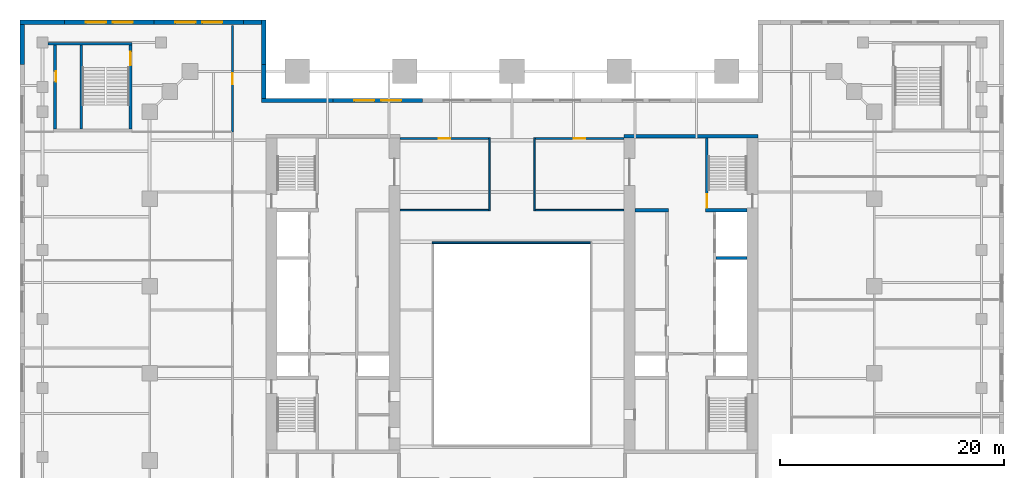
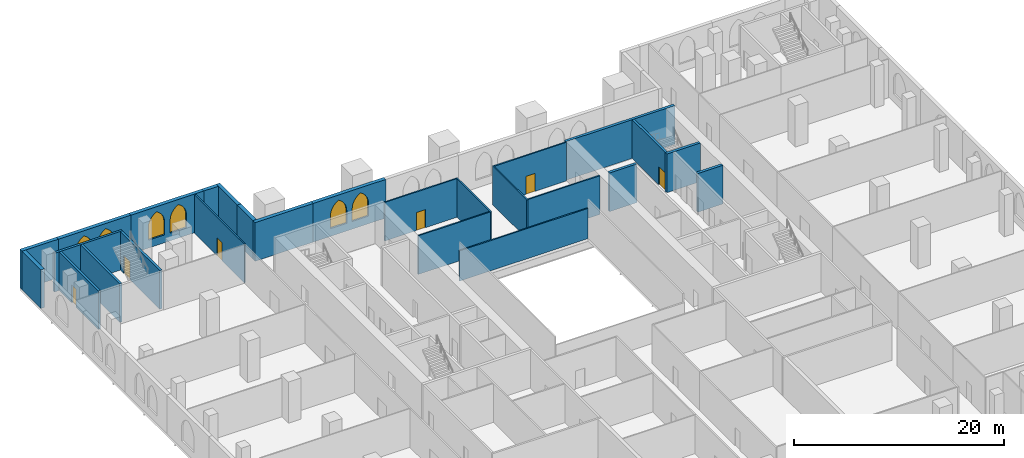
# One storey, part 15 of 19: 26 walls, 6 doors, 6 windows, 12 openings.
"""IFC4 building model written with IfcOpenShell, lengths in metres."""

from ifc_helpers import new_model, si_unit, direction, frame, frame_2d, origin, place, context, subcontext, project, spatial, polyline, rectangle, outline, extrude, material, layer, layer_set, type_object, element, fill, save


model = new_model("IFC4")

# Units and contexts
model_context = context("Model", 3, precision=1e-05, world=origin(), true_north=direction((0.0, 1.0)))
body_context = subcontext(model_context, "Body", "Model", "MODEL_VIEW")
ifc_project = project(units=[si_unit("LENGTHUNIT", "METRE"), si_unit("AREAUNIT", "SQUARE_METRE"), si_unit("VOLUMEUNIT", "CUBIC_METRE"), si_unit("PLANEANGLEUNIT", "RADIAN"), si_unit("MASSUNIT", "GRAM", prefix="KILO")], contexts=[model_context])

# Site, building, storey
site_placement = place(None, origin())
site = spatial("IfcSite", under=ifc_project, at=site_placement, CompositionType="ELEMENT")
building_placement = place(site_placement, origin())
building = spatial("IfcBuilding", under=site, at=building_placement, Name="Ogive Exchange Tower", CompositionType="ELEMENT")
storey_placement = place(building_placement, frame((0.0, 0.0, 24.0)))
storey = spatial("IfcBuildingStorey", under=building, at=storey_placement, Name="L04", CompositionType="ELEMENT", Elevation=24.0)

# Walls
ifc_material_1 = material(Name="Gypsum board partition")
ifc_layer_1 = layer(ifc_material_1, 0.300048828125)
ifc_layer_set_1 = layer_set([ifc_layer_1], Name="Core room partition 300 gypsum")
wall_type_1 = type_object("IfcWallType", Name="Core room partition 300 gypsum", PredefinedType="PARTITIONING", material=ifc_layer_set_1)
wall_1_placement = place(storey_placement, frame((11.0, 19.0, 0.0), z_axis=(0.0, 0.0, 1.0), x_axis=(1.0, 0.0, 0.0)))
element("IfcWall", 1, at=wall_1_placement, inside=storey, type_object=wall_type_1, Name="E row B room end wall 7", PredefinedType="PARTITIONING", context=body_context, shape_type="SweptSolid", body=[
    extrude(rectangle(XDim=3.0, YDim=0.300048828125, at=frame_2d((1.5, 0.0))), origin(), (0.0, 0.0, 1.0), 4.5),
])
ifc_material_2 = material(Name="Fire partition EI 60 150")
ifc_layer_2 = layer(ifc_material_2, 0.14990234375)
ifc_layer_set_2 = layer_set([ifc_layer_2], Name="Fire partition EI 60 150")
wall_type_2 = type_object("IfcWallType", Name="Fire partition EI 60 150", PredefinedType="PARTITIONING", material=ifc_layer_set_2)
for number, where, z_axis, x_axis, name in (
    (2, (-10.0, 19.0, 0.0), (0.0, 0.0, 1.0), (1.0, 0.0, 0.0), "L04-PWL-030"),
    (3, (2.074951171875, 19.0, 0.0), (0.0, 0.0, 1.0), (1.0, 0.0, 0.0), "L04-PWL-031"),
):
    element("IfcWall", number, at=place(storey_placement, frame(where, z_axis=z_axis, x_axis=x_axis)), inside=storey, type_object=wall_type_2, Name=name, PredefinedType="PARTITIONING", context=body_context, shape_type="SweptSolid", body=[
        extrude(rectangle(XDim=7.925048828125, YDim=0.14990234375, at=frame_2d((3.96240234375, 0.0))), origin(), (0.0, 0.0, 1.0), 4.5),
    ])

# Wall, opening, door
wall_2_placement = place(storey_placement, frame((-10.0, 25.39990234375, 0.0), z_axis=(0.0, 0.0, 1.0), x_axis=(1.0, 0.0, 0.0)))
wall_2 = element("IfcWall", 4, at=wall_2_placement, inside=storey, type_object=wall_type_2, Name="L04-PWL-034", PredefinedType="PARTITIONING", context=body_context, shape_type="SweptSolid", body=[
    extrude(rectangle(XDim=7.925048828125, YDim=0.14990234375, at=frame_2d((3.96240234375, 0.0))), origin(), (0.0, 0.0, 1.0), 4.5),
])
opening_1_placement = place(wall_2_placement, frame((3.46240234375, 0.0, 0.0)))
opening_1 = element("IfcOpeningElement", 5, at=opening_1_placement, cuts=wall_2, Name="Opening L04-I25", PredefinedType="OPENING", context=body_context, shape_type="SweptSolid", body=[
    extrude(rectangle(XDim=1.0, YDim=2.10009765625, at=frame_2d((0.5, 1.050048828125))), frame((0.0, 0.0849609375, 0.0), z_axis=(0.0, -1.0, 0.0), x_axis=(1.0, 0.0, 0.0)), (0.0, 0.0, 1.0), 0.169921875),
])
ifc_material_3 = material(Name="Fire door FD 30S 1000 x 2100")
door_type_1 = type_object("IfcDoorType", Name="Fire door FD 30S 1000 x 2100", OperationType="NOTDEFINED", PredefinedType="DOOR", material=ifc_material_3)
door_1_placement = place(opening_1_placement, frame((1.0, 0.0, 0.0), z_axis=(0.0, 0.0, 1.0), x_axis=(-1.0, 0.0, 0.0)))
door_1 = element("IfcDoor", 6, at=door_1_placement, inside=storey, type_object=door_type_1, Name="L04-IDR-025", ObjectType="DT3", OperationType="SINGLE_SWING_LEFT", OverallHeight=2.10009765625, OverallWidth=1.0, PredefinedType="DOOR", context=body_context, shape_type="SweptSolid", body=[
    extrude(rectangle(XDim=1.0, YDim=2.10009765625, at=frame_2d((0.5, 1.050048828125))), frame((0.0, 0.02490234375, 0.0), z_axis=(0.0, -1.0, 0.0), x_axis=(1.0, 0.0, 0.0)), (0.0, 0.0, 1.0), 0.050048828125),
])
fill(opening_1, door_1)

wall_3_placement = place(storey_placement, frame((2.074951171875, 25.39990234375, 0.0), z_axis=(0.0, 0.0, 1.0), x_axis=(1.0, 0.0, 0.0)))
wall_3 = element("IfcWall", 7, at=wall_3_placement, inside=storey, type_object=wall_type_2, Name="L04-PWL-035", PredefinedType="PARTITIONING", context=body_context, shape_type="SweptSolid", body=[
    extrude(rectangle(XDim=7.925048828125, YDim=0.14990234375, at=frame_2d((3.96240234375, 0.0))), origin(), (0.0, 0.0, 1.0), 4.5),
])
opening_2_placement = place(wall_3_placement, frame((3.46240234375, 0.0, 0.0)))
opening_2 = element("IfcOpeningElement", 8, at=opening_2_placement, cuts=wall_3, Name="Opening L04-I26", PredefinedType="OPENING", context=body_context, shape_type="SweptSolid", body=[
    extrude(rectangle(XDim=1.0, YDim=2.10009765625, at=frame_2d((0.5, 1.050048828125))), frame((0.0, 0.0849609375, 0.0), z_axis=(0.0, -1.0, 0.0), x_axis=(1.0, 0.0, 0.0)), (0.0, 0.0, 1.0), 0.169921875),
])
door_2_placement = place(opening_2_placement, frame((1.0, 0.0, 0.0), z_axis=(0.0, 0.0, 1.0), x_axis=(-1.0, 0.0, 0.0)))
door_2 = element("IfcDoor", 9, at=door_2_placement, inside=storey, type_object=door_type_1, Name="L04-IDR-026", ObjectType="DT3", OperationType="SINGLE_SWING_LEFT", OverallHeight=2.10009765625, OverallWidth=1.0, PredefinedType="DOOR", context=body_context, shape_type="SweptSolid", body=[
    extrude(rectangle(XDim=1.0, YDim=2.10009765625, at=frame_2d((0.5, 1.050048828125))), frame((0.0, 0.02490234375, 0.0), z_axis=(0.0, -1.0, 0.0), x_axis=(1.0, 0.0, 0.0)), (0.0, 0.0, 1.0), 0.050048828125),
])
fill(opening_2, door_2)

wall_4_placement = place(storey_placement, frame((-25.0, 26.0, 0.0), z_axis=(0.0, 0.0, 1.0), x_axis=(0.0, 1.0, 0.0)))
wall_4 = element("IfcWall", 10, at=wall_4_placement, inside=storey, type_object=wall_type_2, Name="L04-PWL-049", PredefinedType="PARTITIONING", context=body_context, shape_type="SweptSolid", body=[
    extrude(rectangle(XDim=9.5, YDim=0.14990234375, at=frame_2d((4.75, 0.0))), origin(), (0.0, 0.0, 1.0), 4.5),
])
opening_3_placement = place(wall_4_placement, frame((4.25, 0.0, 0.0)))
opening_3 = element("IfcOpeningElement", 11, at=opening_3_placement, cuts=wall_4, Name="Opening L04-I01", PredefinedType="OPENING", context=body_context, shape_type="SweptSolid", body=[
    extrude(rectangle(XDim=1.0, YDim=2.10009765625, at=frame_2d((0.5, 1.050048828125))), frame((0.0, 0.0849609375, 0.0), z_axis=(0.0, -1.0, 0.0), x_axis=(1.0, 0.0, 0.0)), (0.0, 0.0, 1.0), 0.169921875),
])
door_3_placement = place(opening_3_placement, origin())
door_3 = element("IfcDoor", 12, at=door_3_placement, inside=storey, type_object=door_type_1, Name="L04-IDR-001", ObjectType="DT3", OperationType="SINGLE_SWING_LEFT", OverallHeight=2.10009765625, OverallWidth=1.0, PredefinedType="DOOR", context=body_context, shape_type="SweptSolid", body=[
    extrude(rectangle(XDim=1.0, YDim=2.10009765625, at=frame_2d((0.5, 1.050048828125))), frame((0.0, 0.02490234375, 0.0), z_axis=(0.0, -1.0, 0.0), x_axis=(1.0, 0.0, 0.0)), (0.0, 0.0, 1.0), 0.050048828125),
])
fill(opening_3, door_3)

# Walls
for number, where, z_axis, x_axis, name in (
    (13, (-2.0, 18.925048828125, 0.0), (0.0, 0.0, 1.0), (0.0, 1.0, 0.0), "L04-PWL-054"),
    (14, (2.0, 18.925048828125, 0.0), (0.0, 0.0, 1.0), (0.0, 1.0, 0.0), "L04-PWL-057"),
):
    element("IfcWall", number, at=place(storey_placement, frame(where, z_axis=z_axis, x_axis=x_axis)), inside=storey, type_object=wall_type_2, Name=name, PredefinedType="PARTITIONING", context=body_context, shape_type="SweptSolid", body=[
        extrude(rectangle(XDim=6.550048828125, YDim=0.14990234375, at=frame_2d((3.27490234375, 0.0))), origin(), (0.0, 0.0, 1.0), 4.5),
    ])
ifc_material_4 = material(Name="Fire-resisting glass in steel frame", Category="steel")
ifc_layer_3 = layer(ifc_material_4, 0.14990234375)
ifc_layer_set_3 = layer_set([ifc_layer_3], Name="Fire-rated glazed wall 150")
wall_type_3 = type_object("IfcWallType", Name="Fire-rated glazed wall 150", PredefinedType="STANDARD", material=ifc_layer_set_3)
wall_5_placement = place(storey_placement, frame((-7.14990234375, 16.074951171875, 0.0), z_axis=(0.0, 0.0, 1.0), x_axis=(1.0, 0.0, 0.0)))
element("IfcWall", 15, at=wall_5_placement, inside=storey, type_object=wall_type_3, Name="Nave enclosure wall 2", PredefinedType="STANDARD", context=body_context, shape_type="SweptSolid", body=[
    extrude(rectangle(XDim=14.14990234375, YDim=0.14990234375, at=frame_2d((7.074951171875, 0.0))), origin(), (0.0, 0.0, 1.0), 3.52001953125),
])

# Wall, openings, windows
ifc_material_5 = material(Name="Precast concrete C40/50", Category="concrete")
ifc_layer_4 = layer(ifc_material_5, 0.39990234375)
ifc_layer_set_4 = layer_set([ifc_layer_4], Name="Limestone-faced wall 400")
wall_type_4 = type_object("IfcWallType", Name="Limestone-faced wall 400", PredefinedType="STANDARD", material=ifc_layer_set_4)
wall_6_placement = place(storey_placement, frame((-8.0, 28.800048828125, 0.0), z_axis=(0.0, 0.0, 1.0), x_axis=(-1.0, 0.0, 0.0)))
wall_6 = element("IfcWall", 16, at=wall_6_placement, inside=storey, type_object=wall_type_4, Name="Podium wall B5", PredefinedType="STANDARD", context=body_context, shape_type="SweptSolid", body=[
    extrude(rectangle(XDim=8.0, YDim=0.39990234375, at=frame_2d((4.0, 0.0))), origin(), (0.0, 0.0, 1.0), 4.5),
])
opening_4_placement = place(wall_6_placement, frame((1.89990234375, 0.0, 0.89990234375)))
opening_4 = element("IfcOpeningElement", 17, at=opening_4_placement, cuts=wall_6, Name="Opening WQ300", PredefinedType="OPENING", context=body_context, shape_type="SweptSolid", body=[
    extrude(outline(polyline([(0.0, 0.0), (1.800048828125, 0.0), (1.800048828125, 1.5), (1.78466796875, 1.72900390625), (1.73828125, 1.953857421875), (1.662353515625, 2.17041015625), (1.557861328125, 2.374755859375), (1.4267578125, 2.56298828125), (1.271484375, 2.73193359375), (1.0947265625, 2.878662109375), (0.89990234375, 3.0), (0.705322265625, 2.878662109375), (0.528564453125, 2.73193359375), (0.373291015625, 2.56298828125), (0.2421875, 2.374755859375), (0.1376953125, 2.17041015625), (0.061767578125, 1.953857421875), (0.015380859375, 1.72900390625), (0.0, 1.5), (0.0, 0.0)])), frame((0.0, 0.2099609375, 0.0), z_axis=(0.0, -1.0, 0.0), x_axis=(1.0, 0.0, 0.0)), (0.0, 0.0, 1.0), 0.419921875),
])
opening_5_placement = place(wall_6_placement, frame((4.300048828125, 0.0, 0.89990234375)))
opening_5 = element("IfcOpeningElement", 18, at=opening_5_placement, cuts=wall_6, Name="Opening WQ300", PredefinedType="OPENING", context=body_context, shape_type="SweptSolid", body=[
    extrude(outline(polyline([(0.0, 0.0), (1.800048828125, 0.0), (1.800048828125, 1.5), (1.78466796875, 1.72900390625), (1.73828125, 1.953857421875), (1.662353515625, 2.17041015625), (1.557861328125, 2.374755859375), (1.4267578125, 2.56298828125), (1.271484375, 2.73193359375), (1.0947265625, 2.878662109375), (0.89990234375, 3.0), (0.705322265625, 2.878662109375), (0.528564453125, 2.73193359375), (0.373291015625, 2.56298828125), (0.2421875, 2.374755859375), (0.1376953125, 2.17041015625), (0.061767578125, 1.953857421875), (0.015380859375, 1.72900390625), (0.0, 1.5), (0.0, 0.0)])), frame((0.0, 0.2099609375, 0.0), z_axis=(0.0, -1.0, 0.0), x_axis=(1.0, 0.0, 0.0)), (0.0, 0.0, 1.0), 0.419921875),
])
ifc_material_6 = material(Name="Clear glass in bronze frame", Category="glass")
window_type = type_object("IfcWindowType", Name="Podium paired lancet 1800 x 3000", PartitioningType="DOUBLE_PANEL_VERTICAL", PredefinedType="WINDOW", material=ifc_material_6)
window_1_placement = place(opening_4_placement, origin())
window_1 = element("IfcWindow", 19, at=window_1_placement, inside=storey, type_object=window_type, Name="Podium paired lancet B5.1", OverallHeight=3.0, OverallWidth=1.800048828125, PartitioningType="DOUBLE_PANEL_VERTICAL", PredefinedType="WINDOW", context=body_context, shape_type="SweptSolid", body=[
    extrude(outline(polyline([(0.0, 0.0), (1.800048828125, 0.0), (1.800048828125, 1.5), (1.78466796875, 1.72900390625), (1.73828125, 1.953857421875), (1.662353515625, 2.17041015625), (1.557861328125, 2.374755859375), (1.4267578125, 2.56298828125), (1.271484375, 2.73193359375), (1.0947265625, 2.878662109375), (0.89990234375, 3.0), (0.705322265625, 2.878662109375), (0.528564453125, 2.73193359375), (0.373291015625, 2.56298828125), (0.2421875, 2.374755859375), (0.1376953125, 2.17041015625), (0.061767578125, 1.953857421875), (0.015380859375, 1.72900390625), (0.0, 1.5), (0.0, 0.0)])), frame((0.0, 0.030029296875, 0.0), z_axis=(0.0, -1.0, 0.0), x_axis=(1.0, 0.0, 0.0)), (0.0, 0.0, 1.0), 0.06005859375),
])
fill(opening_4, window_1)
window_2_placement = place(opening_5_placement, origin())
window_2 = element("IfcWindow", 20, at=window_2_placement, inside=storey, type_object=window_type, Name="Podium paired lancet B5.2", OverallHeight=3.0, OverallWidth=1.800048828125, PartitioningType="DOUBLE_PANEL_VERTICAL", PredefinedType="WINDOW", context=body_context, shape_type="SweptSolid", body=[
    extrude(outline(polyline([(0.0, 0.0), (1.800048828125, 0.0), (1.800048828125, 1.5), (1.78466796875, 1.72900390625), (1.73828125, 1.953857421875), (1.662353515625, 2.17041015625), (1.557861328125, 2.374755859375), (1.4267578125, 2.56298828125), (1.271484375, 2.73193359375), (1.0947265625, 2.878662109375), (0.89990234375, 3.0), (0.705322265625, 2.878662109375), (0.528564453125, 2.73193359375), (0.373291015625, 2.56298828125), (0.2421875, 2.374755859375), (0.1376953125, 2.17041015625), (0.061767578125, 1.953857421875), (0.015380859375, 1.72900390625), (0.0, 1.5), (0.0, 0.0)])), frame((0.0, 0.030029296875, 0.0), z_axis=(0.0, -1.0, 0.0), x_axis=(1.0, 0.0, 0.0)), (0.0, 0.0, 1.0), 0.06005859375),
])
fill(opening_5, window_2)

# Walls
wall_7_placement = place(storey_placement, frame((-16.0, 28.800048828125, 0.0), z_axis=(0.0, 0.0, 1.0), x_axis=(-1.0, 0.0, 0.0)))
element("IfcWall", 21, at=wall_7_placement, inside=storey, type_object=wall_type_4, Name="Podium wall B6", PredefinedType="STANDARD", context=body_context, shape_type="SweptSolid", body=[
    extrude(rectangle(XDim=6.39990234375, YDim=0.39990234375, at=frame_2d((3.199951171875, 0.0))), origin(), (0.0, 0.0, 1.0), 4.5),
])
wall_8_placement = place(storey_placement, frame((-22.199951171875, 29.0, 0.0), z_axis=(0.0, 0.0, 1.0), x_axis=(0.0, 1.0, 0.0)))
element("IfcWall", 22, at=wall_8_placement, inside=storey, type_object=wall_type_4, Name="Podium wall J1", PredefinedType="STANDARD", context=body_context, shape_type="SweptSolid", body=[
    extrude(rectangle(XDim=3.0, YDim=0.39990234375, at=frame_2d((1.5, 0.0))), origin(), (0.0, 0.0, 1.0), 4.5),
])
wall_9_placement = place(storey_placement, frame((-22.199951171875, 32.0, 0.0), z_axis=(0.0, 0.0, 1.0), x_axis=(0.0, 1.0, 0.0)))
element("IfcWall", 23, at=wall_9_placement, inside=storey, type_object=wall_type_4, Name="Podium wall J2", PredefinedType="STANDARD", context=body_context, shape_type="SweptSolid", body=[
    extrude(rectangle(XDim=4.0, YDim=0.39990234375, at=frame_2d((2.0, 0.0))), origin(), (0.0, 0.0, 1.0), 4.5),
])
wall_10_placement = place(storey_placement, frame((-22.39990234375, 35.800048828125, 0.0), z_axis=(0.0, 0.0, 1.0), x_axis=(-1.0, 0.0, 0.0)))
element("IfcWall", 24, at=wall_10_placement, inside=storey, type_object=wall_type_4, Name="Podium wall M1", PredefinedType="STANDARD", context=body_context, shape_type="SweptSolid", body=[
    extrude(rectangle(XDim=1.60009765625, YDim=0.39990234375, at=frame_2d((0.800048828125, 0.0))), origin(), (0.0, 0.0, 1.0), 4.5),
])

# Wall, openings, windows
wall_11_placement = place(storey_placement, frame((-24.0, 35.800048828125, 0.0), z_axis=(0.0, 0.0, 1.0), x_axis=(-1.0, 0.0, 0.0)))
wall_11 = element("IfcWall", 25, at=wall_11_placement, inside=storey, type_object=wall_type_4, Name="Podium wall M2", PredefinedType="STANDARD", context=body_context, shape_type="SweptSolid", body=[
    extrude(rectangle(XDim=8.0, YDim=0.39990234375, at=frame_2d((4.0, 0.0))), origin(), (0.0, 0.0, 1.0), 4.5),
])
opening_6_placement = place(wall_11_placement, frame((1.89990234375, 0.0, 0.89990234375)))
opening_6 = element("IfcOpeningElement", 26, at=opening_6_placement, cuts=wall_11, Name="Opening WQ300", PredefinedType="OPENING", context=body_context, shape_type="SweptSolid", body=[
    extrude(outline(polyline([(0.0, 0.0), (1.800048828125, 0.0), (1.800048828125, 1.5), (1.78466796875, 1.72900390625), (1.73828125, 1.953857421875), (1.662353515625, 2.17041015625), (1.557861328125, 2.374755859375), (1.4267578125, 2.56298828125), (1.271484375, 2.73193359375), (1.0947265625, 2.878662109375), (0.89990234375, 3.0), (0.705322265625, 2.878662109375), (0.528564453125, 2.73193359375), (0.373291015625, 2.56298828125), (0.2421875, 2.374755859375), (0.1376953125, 2.17041015625), (0.061767578125, 1.953857421875), (0.015380859375, 1.72900390625), (0.0, 1.5), (0.0, 0.0)])), frame((0.0, 0.2099609375, 0.0), z_axis=(0.0, -1.0, 0.0), x_axis=(1.0, 0.0, 0.0)), (0.0, 0.0, 1.0), 0.419921875),
])
opening_7_placement = place(wall_11_placement, frame((4.300048828125, 0.0, 0.89990234375)))
opening_7 = element("IfcOpeningElement", 27, at=opening_7_placement, cuts=wall_11, Name="Opening WQ300", PredefinedType="OPENING", context=body_context, shape_type="SweptSolid", body=[
    extrude(outline(polyline([(0.0, 0.0), (1.800048828125, 0.0), (1.800048828125, 1.5), (1.78466796875, 1.72900390625), (1.73828125, 1.953857421875), (1.662353515625, 2.17041015625), (1.557861328125, 2.374755859375), (1.4267578125, 2.56298828125), (1.271484375, 2.73193359375), (1.0947265625, 2.878662109375), (0.89990234375, 3.0), (0.705322265625, 2.878662109375), (0.528564453125, 2.73193359375), (0.373291015625, 2.56298828125), (0.2421875, 2.374755859375), (0.1376953125, 2.17041015625), (0.061767578125, 1.953857421875), (0.015380859375, 1.72900390625), (0.0, 1.5), (0.0, 0.0)])), frame((0.0, 0.2099609375, 0.0), z_axis=(0.0, -1.0, 0.0), x_axis=(1.0, 0.0, 0.0)), (0.0, 0.0, 1.0), 0.419921875),
])
window_3_placement = place(opening_6_placement, origin())
window_3 = element("IfcWindow", 28, at=window_3_placement, inside=storey, type_object=window_type, Name="Podium paired lancet M2.1", OverallHeight=3.0, OverallWidth=1.800048828125, PartitioningType="DOUBLE_PANEL_VERTICAL", PredefinedType="WINDOW", context=body_context, shape_type="SweptSolid", body=[
    extrude(outline(polyline([(0.0, 0.0), (1.800048828125, 0.0), (1.800048828125, 1.5), (1.78466796875, 1.72900390625), (1.73828125, 1.953857421875), (1.662353515625, 2.17041015625), (1.557861328125, 2.374755859375), (1.4267578125, 2.56298828125), (1.271484375, 2.73193359375), (1.0947265625, 2.878662109375), (0.89990234375, 3.0), (0.705322265625, 2.878662109375), (0.528564453125, 2.73193359375), (0.373291015625, 2.56298828125), (0.2421875, 2.374755859375), (0.1376953125, 2.17041015625), (0.061767578125, 1.953857421875), (0.015380859375, 1.72900390625), (0.0, 1.5), (0.0, 0.0)])), frame((0.0, 0.030029296875, 0.0), z_axis=(0.0, -1.0, 0.0), x_axis=(1.0, 0.0, 0.0)), (0.0, 0.0, 1.0), 0.06005859375),
])
fill(opening_6, window_3)
window_4_placement = place(opening_7_placement, origin())
window_4 = element("IfcWindow", 29, at=window_4_placement, inside=storey, type_object=window_type, Name="Podium paired lancet M2.2", OverallHeight=3.0, OverallWidth=1.800048828125, PartitioningType="DOUBLE_PANEL_VERTICAL", PredefinedType="WINDOW", context=body_context, shape_type="SweptSolid", body=[
    extrude(outline(polyline([(0.0, 0.0), (1.800048828125, 0.0), (1.800048828125, 1.5), (1.78466796875, 1.72900390625), (1.73828125, 1.953857421875), (1.662353515625, 2.17041015625), (1.557861328125, 2.374755859375), (1.4267578125, 2.56298828125), (1.271484375, 2.73193359375), (1.0947265625, 2.878662109375), (0.89990234375, 3.0), (0.705322265625, 2.878662109375), (0.528564453125, 2.73193359375), (0.373291015625, 2.56298828125), (0.2421875, 2.374755859375), (0.1376953125, 2.17041015625), (0.061767578125, 1.953857421875), (0.015380859375, 1.72900390625), (0.0, 1.5), (0.0, 0.0)])), frame((0.0, 0.030029296875, 0.0), z_axis=(0.0, -1.0, 0.0), x_axis=(1.0, 0.0, 0.0)), (0.0, 0.0, 1.0), 0.06005859375),
])
fill(opening_7, window_4)

wall_12_placement = place(storey_placement, frame((-32.0, 35.800048828125, 0.0), z_axis=(0.0, 0.0, 1.0), x_axis=(-1.0, 0.0, 0.0)))
wall_12 = element("IfcWall", 30, at=wall_12_placement, inside=storey, type_object=wall_type_4, Name="Podium wall M3", PredefinedType="STANDARD", context=body_context, shape_type="SweptSolid", body=[
    extrude(rectangle(XDim=8.0, YDim=0.39990234375, at=frame_2d((4.0, 0.0))), origin(), (0.0, 0.0, 1.0), 4.5),
])
opening_8_placement = place(wall_12_placement, frame((1.89990234375, 0.0, 0.89990234375)))
opening_8 = element("IfcOpeningElement", 31, at=opening_8_placement, cuts=wall_12, Name="Opening WQ300", PredefinedType="OPENING", context=body_context, shape_type="SweptSolid", body=[
    extrude(outline(polyline([(0.0, 0.0), (1.800048828125, 0.0), (1.800048828125, 1.5), (1.78466796875, 1.72900390625), (1.73828125, 1.953857421875), (1.662353515625, 2.17041015625), (1.557861328125, 2.374755859375), (1.4267578125, 2.56298828125), (1.271484375, 2.73193359375), (1.0947265625, 2.878662109375), (0.89990234375, 3.0), (0.705322265625, 2.878662109375), (0.528564453125, 2.73193359375), (0.373291015625, 2.56298828125), (0.2421875, 2.374755859375), (0.1376953125, 2.17041015625), (0.061767578125, 1.953857421875), (0.015380859375, 1.72900390625), (0.0, 1.5), (0.0, 0.0)])), frame((0.0, 0.2099609375, 0.0), z_axis=(0.0, -1.0, 0.0), x_axis=(1.0, 0.0, 0.0)), (0.0, 0.0, 1.0), 0.419921875),
])
opening_9_placement = place(wall_12_placement, frame((4.300048828125, 0.0, 0.89990234375)))
opening_9 = element("IfcOpeningElement", 32, at=opening_9_placement, cuts=wall_12, Name="Opening WQ300", PredefinedType="OPENING", context=body_context, shape_type="SweptSolid", body=[
    extrude(outline(polyline([(0.0, 0.0), (1.800048828125, 0.0), (1.800048828125, 1.5), (1.78466796875, 1.72900390625), (1.73828125, 1.953857421875), (1.662353515625, 2.17041015625), (1.557861328125, 2.374755859375), (1.4267578125, 2.56298828125), (1.271484375, 2.73193359375), (1.0947265625, 2.878662109375), (0.89990234375, 3.0), (0.705322265625, 2.878662109375), (0.528564453125, 2.73193359375), (0.373291015625, 2.56298828125), (0.2421875, 2.374755859375), (0.1376953125, 2.17041015625), (0.061767578125, 1.953857421875), (0.015380859375, 1.72900390625), (0.0, 1.5), (0.0, 0.0)])), frame((0.0, 0.2099609375, 0.0), z_axis=(0.0, -1.0, 0.0), x_axis=(1.0, 0.0, 0.0)), (0.0, 0.0, 1.0), 0.419921875),
])
window_5_placement = place(opening_8_placement, origin())
window_5 = element("IfcWindow", 33, at=window_5_placement, inside=storey, type_object=window_type, Name="Podium paired lancet M3.1", OverallHeight=3.0, OverallWidth=1.800048828125, PartitioningType="DOUBLE_PANEL_VERTICAL", PredefinedType="WINDOW", context=body_context, shape_type="SweptSolid", body=[
    extrude(outline(polyline([(0.0, 0.0), (1.800048828125, 0.0), (1.800048828125, 1.5), (1.78466796875, 1.72900390625), (1.73828125, 1.953857421875), (1.662353515625, 2.17041015625), (1.557861328125, 2.374755859375), (1.4267578125, 2.56298828125), (1.271484375, 2.73193359375), (1.0947265625, 2.878662109375), (0.89990234375, 3.0), (0.705322265625, 2.878662109375), (0.528564453125, 2.73193359375), (0.373291015625, 2.56298828125), (0.2421875, 2.374755859375), (0.1376953125, 2.17041015625), (0.061767578125, 1.953857421875), (0.015380859375, 1.72900390625), (0.0, 1.5), (0.0, 0.0)])), frame((0.0, 0.030029296875, 0.0), z_axis=(0.0, -1.0, 0.0), x_axis=(1.0, 0.0, 0.0)), (0.0, 0.0, 1.0), 0.06005859375),
])
fill(opening_8, window_5)
window_6_placement = place(opening_9_placement, origin())
window_6 = element("IfcWindow", 34, at=window_6_placement, inside=storey, type_object=window_type, Name="Podium paired lancet M3.2", OverallHeight=3.0, OverallWidth=1.800048828125, PartitioningType="DOUBLE_PANEL_VERTICAL", PredefinedType="WINDOW", context=body_context, shape_type="SweptSolid", body=[
    extrude(outline(polyline([(0.0, 0.0), (1.800048828125, 0.0), (1.800048828125, 1.5), (1.78466796875, 1.72900390625), (1.73828125, 1.953857421875), (1.662353515625, 2.17041015625), (1.557861328125, 2.374755859375), (1.4267578125, 2.56298828125), (1.271484375, 2.73193359375), (1.0947265625, 2.878662109375), (0.89990234375, 3.0), (0.705322265625, 2.878662109375), (0.528564453125, 2.73193359375), (0.373291015625, 2.56298828125), (0.2421875, 2.374755859375), (0.1376953125, 2.17041015625), (0.061767578125, 1.953857421875), (0.015380859375, 1.72900390625), (0.0, 1.5), (0.0, 0.0)])), frame((0.0, 0.030029296875, 0.0), z_axis=(0.0, -1.0, 0.0), x_axis=(1.0, 0.0, 0.0)), (0.0, 0.0, 1.0), 0.06005859375),
])
fill(opening_9, window_6)

# Walls
wall_13_placement = place(storey_placement, frame((-40.0, 35.800048828125, 0.0), z_axis=(0.0, 0.0, 1.0), x_axis=(-1.0, 0.0, 0.0)))
element("IfcWall", 35, at=wall_13_placement, inside=storey, type_object=wall_type_4, Name="Podium wall M4", PredefinedType="STANDARD", context=body_context, shape_type="SweptSolid", body=[
    extrude(rectangle(XDim=4.0, YDim=0.39990234375, at=frame_2d((2.0, 0.0))), origin(), (0.0, 0.0, 1.0), 4.5),
])
wall_14_placement = place(storey_placement, frame((-43.800048828125, 35.60009765625, 0.0), z_axis=(0.0, 0.0, 1.0), x_axis=(0.0, -1.0, 0.0)))
element("IfcWall", 36, at=wall_14_placement, inside=storey, type_object=wall_type_4, Name="Podium wall W1", PredefinedType="STANDARD", context=body_context, shape_type="SweptSolid", body=[
    extrude(rectangle(XDim=3.60009765625, YDim=0.39990234375, at=frame_2d((1.800048828125, 0.0))), origin(), (0.0, 0.0, 1.0), 4.5),
])

# Wall, opening, door
ifc_material_7 = material(Name="Concrete C70/85", Category="concrete")
ifc_layer_5 = layer(ifc_material_7, 0.25)
ifc_layer_set_5 = layer_set([ifc_layer_5], Name="RC core wall 250 C70/85")
wall_type_5 = type_object("IfcWallType", Name="RC core wall 250 C70/85", PredefinedType="SHEAR", material=ifc_layer_set_5)
wall_15_placement = place(storey_placement, frame((17.425048828125, 19.14990234375, 0.0), z_axis=(0.0, 0.0, 1.0), x_axis=(0.0, 1.0, 0.0)))
wall_15 = element("IfcWall", 37, at=wall_15_placement, inside=storey, type_object=wall_type_5, Name="E stair N front wall", PredefinedType="SHEAR", context=body_context, shape_type="SweptSolid", body=[
    extrude(rectangle(XDim=6.300048828125, YDim=0.25, at=frame_2d((3.14990234375, 0.0))), origin(), (0.0, 0.0, 1.0), 4.5),
])
opening_10_placement = place(wall_15_placement, frame((0.050048828125, 0.0, 0.0)))
opening_10 = element("IfcOpeningElement", 38, at=opening_10_placement, cuts=wall_15, Name="Opening L04-C37", PredefinedType="OPENING", context=body_context, shape_type="SweptSolid", body=[
    extrude(rectangle(XDim=1.199951171875, YDim=2.10009765625, at=frame_2d((0.60009765625, 1.050048828125))), frame((0.0, 0.135009765625, 0.0), z_axis=(0.0, -1.0, 0.0), x_axis=(1.0, 0.0, 0.0)), (0.0, 0.0, 1.0), 0.27001953125),
])
ifc_material_8 = material(Name="Steel fire door", Category="steel")
door_type_2 = type_object("IfcDoorType", Name="Stair door FD90 1200 x 2100", OperationType="NOTDEFINED", PredefinedType="DOOR", material=ifc_material_8)
door_4_placement = place(opening_10_placement, frame((1.199951171875, 0.0, 0.0), z_axis=(0.0, 0.0, 1.0), x_axis=(-1.0, 0.0, 0.0)))
door_4 = element("IfcDoor", 39, at=door_4_placement, inside=storey, type_object=door_type_2, Name="Stair door", ObjectType="CD5", OperationType="SINGLE_SWING_LEFT", OverallHeight=2.10009765625, OverallWidth=1.199951171875, PredefinedType="DOOR", context=body_context, shape_type="SweptSolid", body=[
    extrude(rectangle(XDim=1.199951171875, YDim=2.10009765625, at=frame_2d((0.60009765625, 1.050048828125))), frame((0.0, 0.02490234375, 0.0), z_axis=(0.0, -1.0, 0.0), x_axis=(1.0, 0.0, 0.0)), (0.0, 0.0, 1.0), 0.050048828125),
])
fill(opening_10, door_4)

# Wall
wall_16_placement = place(storey_placement, frame((-41.5, 33.875, 0.0), z_axis=(0.0, 0.0, 1.0), x_axis=(1.0, 0.0, 0.0)))
element("IfcWall", 40, at=wall_16_placement, inside=storey, type_object=wall_type_5, Name="PS3 north wall", PredefinedType="SHEAR", context=body_context, shape_type="SweptSolid", body=[
    extrude(rectangle(XDim=7.5, YDim=0.25, at=frame_2d((3.75, 0.0))), origin(), (0.0, 0.0, 1.0), 4.5),
])

# Wall, opening, door
wall_17_placement = place(storey_placement, frame((-40.875, 26.25, 0.0), z_axis=(0.0, 0.0, 1.0), x_axis=(0.0, 1.0, 0.0)))
wall_17 = element("IfcWall", 41, at=wall_17_placement, inside=storey, type_object=wall_type_5, Name="PS3 west wall", PredefinedType="SHEAR", context=body_context, shape_type="SweptSolid", body=[
    extrude(rectangle(XDim=7.5, YDim=0.25, at=frame_2d((3.75, 0.0))), origin(), (0.0, 0.0, 1.0), 4.5),
])
opening_11_placement = place(wall_17_placement, frame((4.25, 0.0, 0.0)))
opening_11 = element("IfcOpeningElement", 42, at=opening_11_placement, cuts=wall_17, Name="Opening L04-C49", PredefinedType="OPENING", context=body_context, shape_type="SweptSolid", body=[
    extrude(rectangle(XDim=0.89990234375, YDim=2.10009765625, at=frame_2d((0.449951171875, 1.050048828125))), frame((0.0, 0.135009765625, 0.0), z_axis=(0.0, -1.0, 0.0), x_axis=(1.0, 0.0, 0.0)), (0.0, 0.0, 1.0), 0.27001953125),
])
door_type_3 = type_object("IfcDoorType", Name="Riser door FD60 900 x 2100", OperationType="NOTDEFINED", PredefinedType="DOOR", material=ifc_material_8)
door_5_placement = place(opening_11_placement, origin())
door_5 = element("IfcDoor", 43, at=door_5_placement, inside=storey, type_object=door_type_3, Name="Riser door", ObjectType="CD2", OperationType="SINGLE_SWING_LEFT", OverallHeight=2.10009765625, OverallWidth=0.89990234375, PredefinedType="DOOR", context=body_context, shape_type="SweptSolid", body=[
    extrude(rectangle(XDim=0.89990234375, YDim=2.10009765625, at=frame_2d((0.449951171875, 1.050048828125))), frame((0.0, -0.0751953125, 0.0), z_axis=(0.0, -1.0, 0.0), x_axis=(1.0, 0.0, 0.0)), (0.0, 0.0, 1.0), 0.050048828125),
])
fill(opening_11, door_5)

wall_18_placement = place(storey_placement, frame((-34.125, 26.25, 0.0), z_axis=(0.0, 0.0, 1.0), x_axis=(0.0, 1.0, 0.0)))
wall_18 = element("IfcWall", 44, at=wall_18_placement, inside=storey, type_object=wall_type_5, Name="PS3 east wall", PredefinedType="SHEAR", context=body_context, shape_type="SweptSolid", body=[
    extrude(rectangle(XDim=7.5, YDim=0.25, at=frame_2d((3.75, 0.0))), origin(), (0.0, 0.0, 1.0), 4.5),
])
opening_12_placement = place(wall_18_placement, frame((5.699951171875, 0.0, 0.0)))
opening_12 = element("IfcOpeningElement", 45, at=opening_12_placement, cuts=wall_18, Name="Opening L04-C48", PredefinedType="OPENING", context=body_context, shape_type="SweptSolid", body=[
    extrude(rectangle(XDim=1.199951171875, YDim=2.10009765625, at=frame_2d((0.60009765625, 1.050048828125))), frame((0.0, 0.135009765625, 0.0), z_axis=(0.0, -1.0, 0.0), x_axis=(1.0, 0.0, 0.0)), (0.0, 0.0, 1.0), 0.27001953125),
])
door_6_placement = place(opening_12_placement, origin())
door_6 = element("IfcDoor", 46, at=door_6_placement, inside=storey, type_object=door_type_2, Name="Stair door", ObjectType="CD5", OperationType="SINGLE_SWING_LEFT", OverallHeight=2.10009765625, OverallWidth=1.199951171875, PredefinedType="DOOR", context=body_context, shape_type="SweptSolid", body=[
    extrude(rectangle(XDim=1.199951171875, YDim=2.10009765625, at=frame_2d((0.60009765625, 1.050048828125))), frame((0.0, 0.02490234375, 0.0), z_axis=(0.0, -1.0, 0.0), x_axis=(1.0, 0.0, 0.0)), (0.0, 0.0, 1.0), 0.050048828125),
])
fill(opening_12, door_6)

# Walls
wall_19_placement = place(storey_placement, frame((-38.52490234375, 26.25, 0.0), z_axis=(0.0, 0.0, 1.0), x_axis=(0.0, 1.0, 0.0)))
element("IfcWall", 47, at=wall_19_placement, inside=storey, type_object=wall_type_5, Name="PS3 partition wall", PredefinedType="SHEAR", context=body_context, shape_type="SweptSolid", body=[
    extrude(rectangle(XDim=7.5, YDim=0.25, at=frame_2d((3.75, 0.0))), origin(), (0.0, 0.0, 1.0), 4.5),
])
ifc_layer_6 = layer(ifc_material_7, 0.300048828125)
ifc_layer_set_6 = layer_set([ifc_layer_6], Name="RC core wall 300 C70/85")
wall_type_6 = type_object("IfcWallType", Name="RC core wall 300 C70/85", PredefinedType="SHEAR", material=ifc_layer_set_6)
wall_20_placement = place(storey_placement, frame((10.0, 25.60009765625, 0.0), z_axis=(0.0, 0.0, 1.0), x_axis=(1.0, 0.0, 0.0)))
element("IfcWall", 48, at=wall_20_placement, inside=storey, type_object=wall_type_6, Name="E north end wall", PredefinedType="SHEAR", context=body_context, shape_type="SweptSolid", body=[
    extrude(rectangle(XDim=12.0, YDim=0.300048828125, at=frame_2d((6.0, 0.0))), origin(), (0.0, 0.0, 1.0), 4.5),
])
wall_21_placement = place(storey_placement, frame((17.300048828125, 19.0, 0.0), z_axis=(0.0, 0.0, 1.0), x_axis=(1.0, 0.0, 0.0)))
element("IfcWall", 49, at=wall_21_placement, inside=storey, type_object=wall_type_6, Name="E stair N south wall", PredefinedType="SHEAR", context=body_context, shape_type="SweptSolid", body=[
    extrude(rectangle(XDim=3.699951171875, YDim=0.300048828125, at=frame_2d((1.85009765625, 0.0))), origin(), (0.0, 0.0, 1.0), 4.5),
])
wall_22_placement = place(storey_placement, frame((18.25, 14.71435546875, 0.0), z_axis=(0.0, 0.0, 1.0), x_axis=(1.0, 0.0, 0.0)))
element("IfcWall", 50, at=wall_22_placement, inside=storey, type_object=wall_type_6, Name="E row A divider 5", PredefinedType="SHEAR", context=body_context, shape_type="SweptSolid", body=[
    extrude(rectangle(XDim=2.75, YDim=0.300048828125, at=frame_2d((1.375, 0.0))), origin(), (0.0, 0.0, 1.0), 4.5),
])

save(model, "model.ifc")
